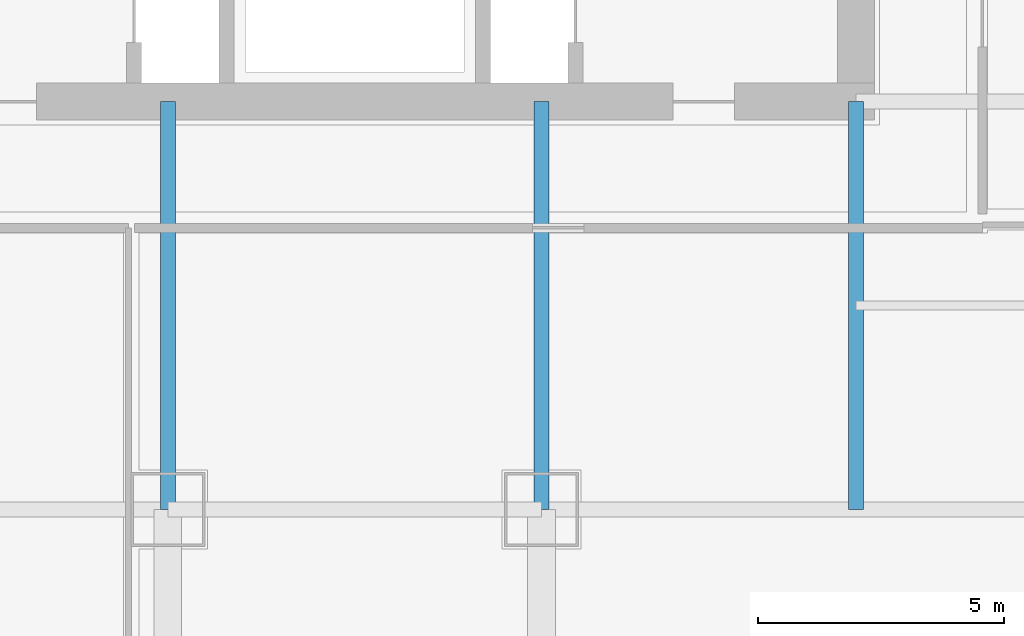
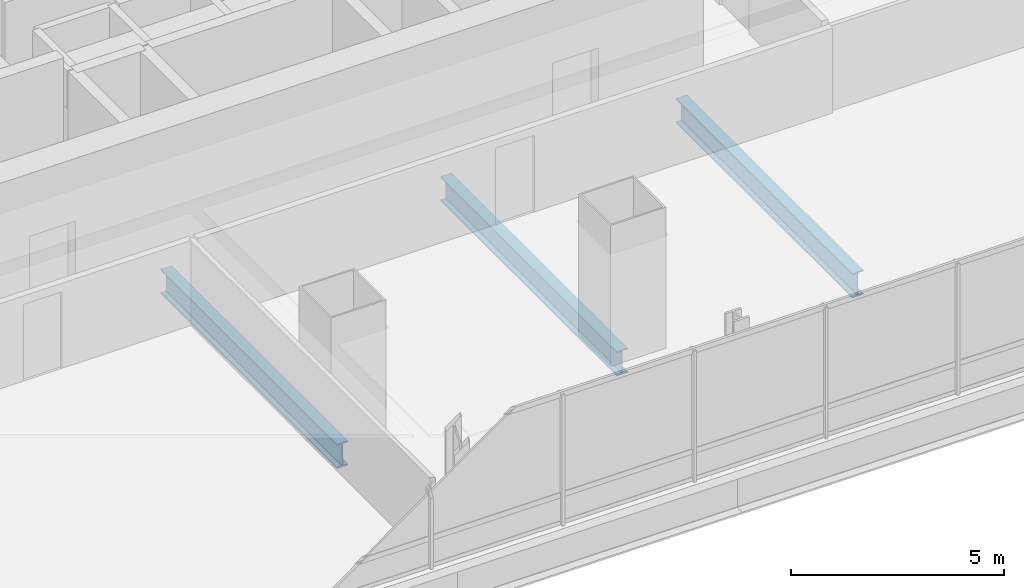
# One storey, part 7 of 42: 3 beams.
"""IFC4 building model written with IfcOpenShell, lengths in metres."""

import ifcopenshell
import ifcopenshell.guid

model = None  # the IFC model being written
_history = None  # IfcOwnerHistory: only IFC2X3 demands one
_inside = {}  # id of a spatial element -> (the spatial element, [elements in it])
_under = {}  # id of a project, library or spatial element -> (it, [spatial elements below it])
_declared = {}  # id of a project -> (the project, [libraries it declares])
_typed = {}  # id of a type object -> (the type object, [elements of that type])
_made_of = {}  # id of a material, layer set ... -> (it, [elements and type objects made of it])


def new_model(schema):
    """Start an empty IFC model of exactly this schema.

    Asked for "IFC4X3", IfcOpenShell would pick the latest addendum, in which some entities
    have other attributes; the version numbers below select the first issue.
    IFC2X3 requires an IfcOwnerHistory on every rooted entity: one is made here for all.
    """
    global model, _history
    if schema == "IFC4X3":
        model = ifcopenshell.file(schema_version=(4, 3, 0, 0))
    else:
        model = ifcopenshell.file(schema=schema)
    _inside.clear()
    _under.clear()
    _declared.clear()
    _typed.clear()
    _made_of.clear()
    _history = None
    if model.schema == "IFC2X3":
        org = make("IfcOrganization", Name="unknown")
        user = make(
            "IfcPersonAndOrganization",
            ThePerson=make("IfcPerson", FamilyName="unknown"),
            TheOrganization=org,
        )
        app = make(
            "IfcApplication",
            ApplicationDeveloper=org,
            Version="unknown",
            ApplicationFullName="unknown",
            ApplicationIdentifier="unknown",
        )
        _history = make(
            "IfcOwnerHistory",
            OwningUser=user,
            OwningApplication=app,
            ChangeAction="ADDED",
            CreationDate=0,
        )
    return model


def make(cls, **values):
    """One entity of the class cls with the attributes given. An attribute that is None is left unset."""
    return model.create_entity(
        cls, **{name: value for name, value in values.items() if value is not None}
    )


def rooted(cls, **values):
    """An entity with a GlobalId (a new one), such as an element, a storey or a relation."""
    return make(cls, GlobalId=ifcopenshell.guid.new(), OwnerHistory=_history, **values)


def si_unit(unit_type, name, prefix=None):
    """IfcSIUnit, for example si_unit("LENGTHUNIT", "METRE", prefix="MILLI")."""
    return make("IfcSIUnit", UnitType=unit_type, Prefix=prefix, Name=name)


def assignment(units):
    """IfcUnitAssignment: the units of a project."""
    return None if units is None else make("IfcUnitAssignment", Units=units)


def point(xyz):
    """IfcCartesianPoint."""
    return None if xyz is None else make("IfcCartesianPoint", Coordinates=xyz)


def direction(xyz):
    """IfcDirection."""
    return None if xyz is None else make("IfcDirection", DirectionRatios=xyz)


def frame(location, z_axis=None, x_axis=None):
    """IfcAxis2Placement3D, a coordinate frame: its origin and axes. An axis left out is left unset."""
    return make(
        "IfcAxis2Placement3D",
        Location=point(location),
        Axis=direction(z_axis),
        RefDirection=direction(x_axis),
    )


def frame_2d(location, x_axis=None):
    """IfcAxis2Placement2D, a coordinate frame in the plane: its origin and x axis."""
    return make(
        "IfcAxis2Placement2D", Location=point(location), RefDirection=direction(x_axis)
    )


def origin():
    """The frame at (0, 0, 0) with its axes left unset."""
    return frame((0.0, 0.0, 0.0))


def origin_2d():
    """The frame at (0, 0) in the plane with its x axis left unset."""
    return frame_2d((0.0, 0.0))


def place(relative_to, where):
    """IfcLocalPlacement: puts the frame where relative to a parent placement (None: the world)."""
    return make(
        "IfcLocalPlacement", PlacementRelTo=relative_to, RelativePlacement=where
    )


def context(
    kind, dimensions, precision=None, world=None, true_north=None, identifier=None
):
    """IfcGeometricRepresentationContext, for example the 3D "Model" context."""
    return make(
        "IfcGeometricRepresentationContext",
        ContextIdentifier=identifier,
        ContextType=kind,
        CoordinateSpaceDimension=dimensions,
        Precision=precision,
        WorldCoordinateSystem=world,
        TrueNorth=true_north,
    )


def subcontext(parent, identifier, kind, view, scale=None):
    """IfcGeometricRepresentationSubContext, for example "Body" below "Model"."""
    return make(
        "IfcGeometricRepresentationSubContext",
        ContextIdentifier=identifier,
        ContextType=kind,
        ParentContext=parent,
        TargetScale=scale,
        TargetView=view,
    )


def project(units=None, contexts=None):
    """IfcProject with its units and contexts."""
    return rooted(
        "IfcProject",
        Name="project",
        RepresentationContexts=contexts,
        UnitsInContext=assignment(units),
    )


def spatial(cls, under=None, at=None, **own):
    """A site, building, storey or space (cls), placed at a placement, below another one or the project."""
    s = rooted(cls, ObjectPlacement=at, **own)
    if under is not None:
        _under.setdefault(under.id(), (under, []))[1].append(s)
    return s


def profile(cls, at=None, kind="AREA", **sizes):
    """A parametric profile (cls). Its sizes go by their IFC names, for example OverallWidth=200.0."""
    return make(cls, ProfileType=kind, Position=at, **sizes)


def i_section(**sizes):
    """IfcIShapeProfileDef."""
    return profile("IfcIShapeProfileDef", **sizes)


def extrude(swept, where, along, depth):
    """IfcExtrudedAreaSolid: the profile swept, set in the frame where, extruded along a direction by depth."""
    return make(
        "IfcExtrudedAreaSolid",
        SweptArea=swept,
        Position=where,
        ExtrudedDirection=direction(along),
        Depth=depth,
    )


def shape(context_of_items, identifier, shape_type, items):
    """IfcShapeRepresentation: the items that make up one representation, for example the "Body"."""
    return make(
        "IfcShapeRepresentation",
        ContextOfItems=context_of_items,
        RepresentationIdentifier=identifier,
        RepresentationType=shape_type,
        Items=items,
    )


def material(Name=None, Category=None):
    """IfcMaterial."""
    return make("IfcMaterial", Name=Name, Category=Category)


def material_profile(
    of_material, cross_section, Name=None, Category=None, Priority=None
):
    """IfcMaterialProfile: a cross section and its material."""
    return make(
        "IfcMaterialProfile",
        Name=Name,
        Material=of_material,
        Profile=cross_section,
        Priority=Priority,
        Category=Category,
    )


def profile_set(profiles, Name=None, composite=None):
    """IfcMaterialProfileSet."""
    return make(
        "IfcMaterialProfileSet",
        Name=Name,
        MaterialProfiles=profiles,
        CompositeProfile=composite,
    )


def made_of(thing, what):
    """Note that an element or type object is made of a material, layer set ...; save() writes the relation."""
    if what is not None:
        _made_of.setdefault(what.id(), (what, []))[1].append(thing)
    return thing


def type_object(cls, material=None, **own):
    """A type object (cls), such as IfcWallType, which elements share."""
    return made_of(rooted(cls, **own), material)


def element(
    cls,
    number,
    at=None,
    inside=None,
    cuts=None,
    type_object=None,
    material=None,
    context=None,
    identifier="Body",
    shape_type=None,
    held_by="IfcProductDefinitionShape",
    body=None,
    shapes=None,
    **own,
):
    """One element of the class cls, such as IfcWall. Its Tag is "e" and its number.

    at: its placement. inside: the storey or other place that contains it. cuts: it is an
    opening in that element (IfcRelVoidsElement). A single representation is given by context,
    identifier, shape_type and body (its items); several are given by shapes. held_by: the class
    of the entity that holds the representations. save() writes the other relations.
    """
    e = rooted(cls, Tag="e%d" % number, ObjectPlacement=at, **own)
    if body is not None:
        shapes = [shape(context, identifier, shape_type, body)]
    if shapes is not None:
        e.Representation = make(held_by, Representations=shapes)
    if inside is not None:
        _inside.setdefault(inside.id(), (inside, []))[1].append(e)
    if cuts is not None:
        rooted(
            "IfcRelVoidsElement", RelatingBuildingElement=cuts, RelatedOpeningElement=e
        )
    if type_object is not None:
        _typed.setdefault(type_object.id(), (type_object, []))[1].append(e)
    return made_of(e, material)


def aggregate(whole, parts):
    """IfcRelAggregates: a whole, such as a stair, and the parts it consists of."""
    return rooted("IfcRelAggregates", RelatingObject=whole, RelatedObjects=parts)


def save(model, path):
    """Write the relations noted so far, then the file.

    IfcRelAggregates (storeys below a building ...), IfcRelContainedInSpatialStructure (elements
    in a storey), IfcRelDefinesByType, IfcRelAssociatesMaterial and IfcRelDeclares: one each for
    every whole, place, type object, material and project.
    """
    for whole, parts in _under.values():
        aggregate(whole, parts)
    for where, things in _inside.values():
        rooted(
            "IfcRelContainedInSpatialStructure",
            RelatedElements=things,
            RelatingStructure=where,
        )
    for kind, things in _typed.values():
        rooted("IfcRelDefinesByType", RelatedObjects=things, RelatingType=kind)
    for what, things in _made_of.values():
        rooted("IfcRelAssociatesMaterial", RelatedObjects=things, RelatingMaterial=what)
    for by, libraries in _declared.values():
        rooted("IfcRelDeclares", RelatingContext=by, RelatedDefinitions=libraries)
    model.write(path)


model = new_model("IFC4")

# Units and contexts
model_context = context("Model", 3, precision=1e-05, world=origin(), true_north=direction((0.0, 1.0)))
body_context = subcontext(model_context, "Body", "Model", "MODEL_VIEW")
ifc_project = project(units=[si_unit("LENGTHUNIT", "METRE"), si_unit("AREAUNIT", "SQUARE_METRE"), si_unit("VOLUMEUNIT", "CUBIC_METRE"), si_unit("PLANEANGLEUNIT", "RADIAN"), si_unit("MASSUNIT", "GRAM", prefix="KILO")], contexts=[model_context])

# Site, building, storey
site_placement = place(None, origin())
site = spatial("IfcSite", under=ifc_project, at=site_placement, CompositionType="ELEMENT")
building_placement = place(site_placement, origin())
building = spatial("IfcBuilding", under=site, at=building_placement, Name="Punatoya Terracotta Tower", CompositionType="ELEMENT")
storey_placement = place(building_placement, frame((0.0, 0.0, 88.949951171875)))
storey = spatial("IfcBuildingStorey", under=building, at=storey_placement, Name="L20", CompositionType="ELEMENT", Elevation=88.949951171875)

# Beams
ifc_material = material(Name="Steel S355", Category="steel")
ifc_material_profile = material_profile(ifc_material, i_section(OverallWidth=0.300048828125, OverallDepth=0.699951171875, WebThickness=0.01708984375, FlangeThickness=0.031982421875, FilletRadius=0.01806640625, at=origin_2d()))
ifc_profile_set = profile_set([ifc_material_profile], Name="Steel S355")
beam_type = type_object("IfcBeamType", Name="BM-PRI-700", PredefinedType="BEAM", material=ifc_profile_set)
for number, where, z_axis, x_axis, name in (
    (1, (-3.800048828125, -17.5, -0.58984375), (0.0, 1.0, 0.0), (-1.0, 0.0, 0.0), "BM-L20-PR-S2"),
    (2, (3.800048828125, -17.5, -0.58984375), (0.0, 1.0, 0.0), (-1.0, 0.0, 0.0), "BM-L20-PR-S3"),
    (3, (10.199951171875, -17.5, -0.58984375), (0.0, 1.0, 0.0), (-1.0, 0.0, 0.0), "BM-L20-PR-S4"),
):
    element("IfcBeam", number, at=place(storey_placement, frame(where, z_axis=z_axis, x_axis=x_axis)), inside=storey, type_object=beam_type, Name=name, PredefinedType="BEAM", context=body_context, shape_type="SweptSolid", body=[
        extrude(i_section(OverallWidth=0.300048828125, OverallDepth=0.699951171875, WebThickness=0.01708984375, FlangeThickness=0.031982421875, FilletRadius=0.01806640625, at=origin_2d()), origin(), (0.0, 0.0, 1.0), 8.300048828125),
    ])

save(model, "model.ifc")
